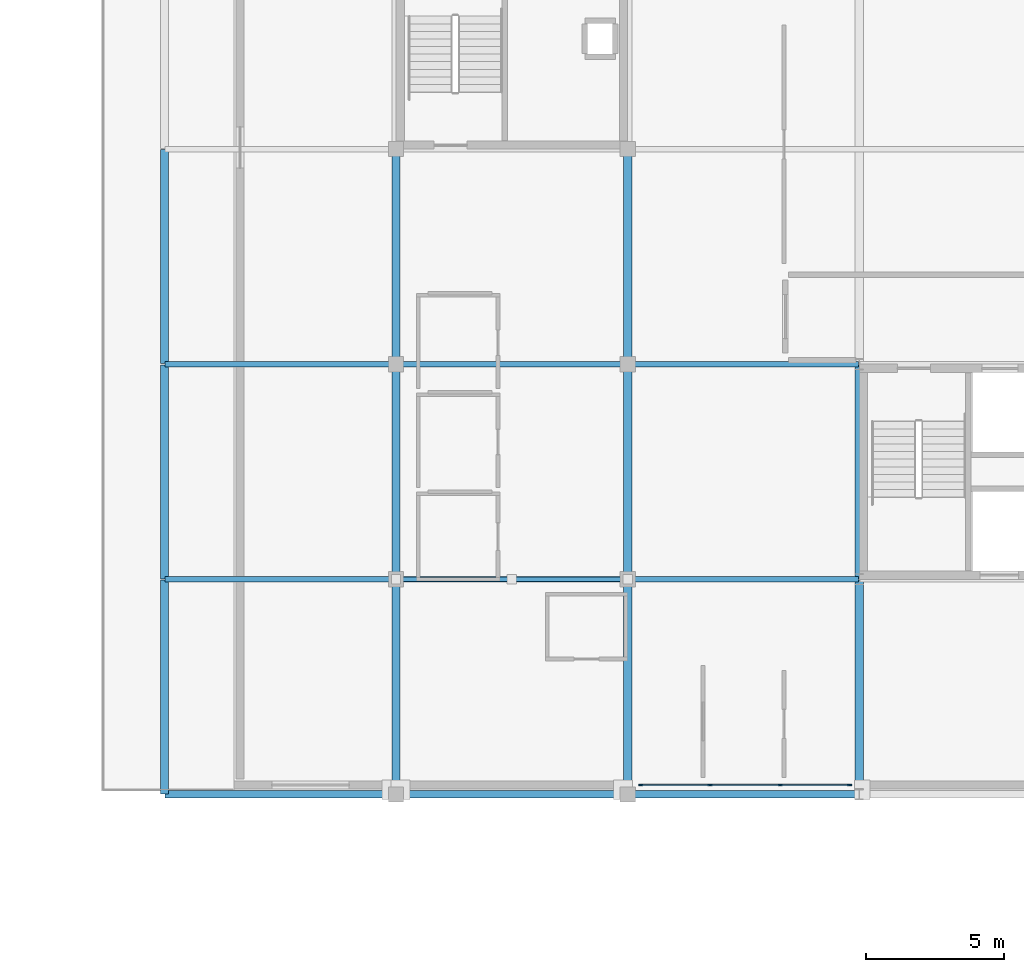
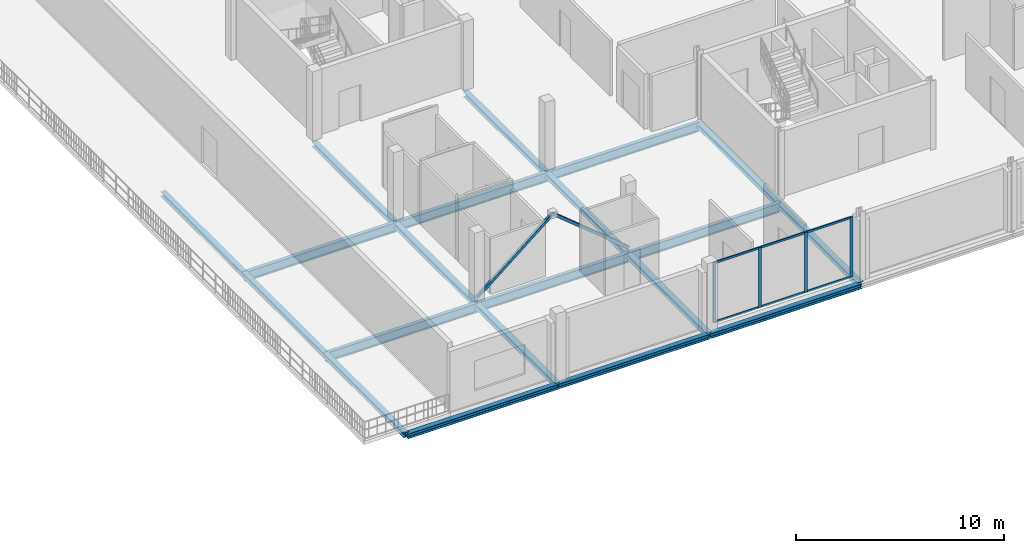
# One storey, part 4 of 20: 20 beams, 12 members, 1 element without a shape of its own.
"""IFC4 building model written with IfcOpenShell, lengths in metres."""

from ifc_helpers import new_model, si_unit, direction, frame, origin, origin_2d, place, context, subcontext, project, spatial, rectangle, hollow_rectangle, i_section, extrude, material, material_profile, profile_set, type_object, element, aggregate, save


model = new_model("IFC4")

# Units and contexts
model_context = context("Model", 3, precision=1e-05, world=origin(), true_north=direction((0.0, 1.0)))
body_context = subcontext(model_context, "Body", "Model", "MODEL_VIEW")
ifc_project = project(units=[si_unit("LENGTHUNIT", "METRE"), si_unit("AREAUNIT", "SQUARE_METRE"), si_unit("VOLUMEUNIT", "CUBIC_METRE"), si_unit("PLANEANGLEUNIT", "RADIAN"), si_unit("MASSUNIT", "GRAM", prefix="KILO")], contexts=[model_context])

# Site, building, storey
site_placement = place(None, origin())
site = spatial("IfcSite", under=ifc_project, at=site_placement, CompositionType="ELEMENT")
building_placement = place(site_placement, origin())
building = spatial("IfcBuilding", under=site, at=building_placement, Name="Nabrawat Pavilion Hospital", CompositionType="ELEMENT")
storey_placement = place(building_placement, frame((0.0, 0.0, 27.0)))
storey = spatial("IfcBuildingStorey", under=building, at=storey_placement, Name="L06", CompositionType="ELEMENT", Elevation=27.0)

# Curtain wall, members
ifc_material_1 = material(Name="Anodised Aluminium", Category="aluminium")
curtain_wall_type = type_object("IfcCurtainWallType", Name="Inpatient Dayroom Bay Curtain Wall", PredefinedType="USERDEFINED", material=ifc_material_1)
curtain_wall_placement = place(storey_placement, origin())
curtain_wall = element("IfcCurtainWall", 1, at=curtain_wall_placement, inside=storey, type_object=curtain_wall_type, Name="L06 Inpatient Dayroom Bay Curtain Wall 153", ObjectType="CURTAIN WALL", PredefinedType="USERDEFINED")
ifc_material_profile_1 = material_profile(ifc_material_1, rectangle(XDim=0.06005859375, YDim=0.159912109375, at=origin_2d()), Name="CWM 60x160")
ifc_profile_set_1 = profile_set([ifc_material_profile_1], Name="Anodised Aluminium")
member_type_1 = type_object("IfcMemberType", Name="Inpatient Dayroom Bay Curtain Wall Mullion CWM 60x160", PredefinedType="MULLION", material=ifc_profile_set_1)
member_1_placement = place(storey_placement, frame((160.074951171875, 39.340087890625, 0.0), z_axis=(0.0, 0.0, 1.0), x_axis=(0.0, 1.0, 0.0)))
member_1 = element("IfcMember", 2, at=member_1_placement, type_object=member_type_1, Name="CW-WRD-01 mullion 1", PredefinedType="MULLION", context=body_context, shape_type="SweptSolid", body=[
    extrude(rectangle(XDim=0.06005859375, YDim=0.159912109375, at=origin_2d()), origin(), (0.0, 0.0, 1.0), 3.530029296875),
])
member_2_placement = place(storey_placement, frame((162.590087890625, 39.340087890625, 0.0), z_axis=(0.0, 0.0, 1.0), x_axis=(0.0, 1.0, 0.0)))
member_2 = element("IfcMember", 3, at=member_2_placement, type_object=member_type_1, Name="CW-WRD-01 mullion 2", PredefinedType="MULLION", context=body_context, shape_type="SweptSolid", body=[
    extrude(rectangle(XDim=0.06005859375, YDim=0.159912109375, at=origin_2d()), origin(), (0.0, 0.0, 1.0), 3.530029296875),
])
member_3_placement = place(storey_placement, frame((165.135009765625, 39.340087890625, 0.0), z_axis=(0.0, 0.0, 1.0), x_axis=(0.0, 1.0, 0.0)))
member_3 = element("IfcMember", 4, at=member_3_placement, type_object=member_type_1, Name="CW-WRD-01 mullion 3", PredefinedType="MULLION", context=body_context, shape_type="SweptSolid", body=[
    extrude(rectangle(XDim=0.06005859375, YDim=0.159912109375, at=origin_2d()), origin(), (0.0, 0.0, 1.0), 3.530029296875),
])
member_4_placement = place(storey_placement, frame((167.64990234375, 39.340087890625, 0.0), z_axis=(0.0, 0.0, 1.0), x_axis=(0.0, 1.0, 0.0)))
member_4 = element("IfcMember", 5, at=member_4_placement, type_object=member_type_1, Name="CW-WRD-01 mullion 4", PredefinedType="MULLION", context=body_context, shape_type="SweptSolid", body=[
    extrude(rectangle(XDim=0.06005859375, YDim=0.159912109375, at=origin_2d()), origin(), (0.0, 0.0, 1.0), 3.530029296875),
])
ifc_material_profile_2 = material_profile(ifc_material_1, rectangle(XDim=0.06005859375, YDim=0.1201171875, at=origin_2d()), Name="CWT 60x120")
ifc_profile_set_2 = profile_set([ifc_material_profile_2], Name="Anodised Aluminium")
member_type_2 = type_object("IfcMemberType", Name="Inpatient Dayroom Bay Curtain Wall Transom CWT 60x120", PredefinedType="USERDEFINED", material=ifc_profile_set_2)
member_5_placement = place(storey_placement, frame((160.10498046875, 39.340087890625, 0.030029296875), z_axis=(1.0, 0.0, 0.0), x_axis=(0.0, 1.0, 0.0)))
member_5 = element("IfcMember", 6, at=member_5_placement, type_object=member_type_2, Name="CW-WRD-01 transom 1.1", ObjectType="TRANSOM", PredefinedType="USERDEFINED", context=body_context, shape_type="SweptSolid", body=[
    extrude(rectangle(XDim=0.06005859375, YDim=0.1201171875, at=origin_2d()), origin(), (0.0, 0.0, 1.0), 2.455078125),
])
member_6_placement = place(storey_placement, frame((160.10498046875, 39.340087890625, 3.5), z_axis=(1.0, 0.0, 0.0), x_axis=(0.0, 1.0, 0.0)))
member_6 = element("IfcMember", 7, at=member_6_placement, type_object=member_type_2, Name="CW-WRD-01 transom 1.2", ObjectType="TRANSOM", PredefinedType="USERDEFINED", context=body_context, shape_type="SweptSolid", body=[
    extrude(rectangle(XDim=0.06005859375, YDim=0.1201171875, at=origin_2d()), origin(), (0.0, 0.0, 1.0), 2.455078125),
])
member_7_placement = place(storey_placement, frame((162.6201171875, 39.340087890625, 0.030029296875), z_axis=(1.0, 0.0, 0.0), x_axis=(0.0, 1.0, 0.0)))
member_7 = element("IfcMember", 8, at=member_7_placement, type_object=member_type_2, Name="CW-WRD-01 transom 2.1", ObjectType="TRANSOM", PredefinedType="USERDEFINED", context=body_context, shape_type="SweptSolid", body=[
    extrude(rectangle(XDim=0.06005859375, YDim=0.1201171875, at=origin_2d()), origin(), (0.0, 0.0, 1.0), 2.48486328125),
])
member_8_placement = place(storey_placement, frame((162.6201171875, 39.340087890625, 3.5), z_axis=(1.0, 0.0, 0.0), x_axis=(0.0, 1.0, 0.0)))
member_8 = element("IfcMember", 9, at=member_8_placement, type_object=member_type_2, Name="CW-WRD-01 transom 2.2", ObjectType="TRANSOM", PredefinedType="USERDEFINED", context=body_context, shape_type="SweptSolid", body=[
    extrude(rectangle(XDim=0.06005859375, YDim=0.1201171875, at=origin_2d()), origin(), (0.0, 0.0, 1.0), 2.48486328125),
])
member_9_placement = place(storey_placement, frame((165.1650390625, 39.340087890625, 0.030029296875), z_axis=(1.0, 0.0, 0.0), x_axis=(0.0, 1.0, 0.0)))
member_9 = element("IfcMember", 10, at=member_9_placement, type_object=member_type_2, Name="CW-WRD-01 transom 3.1", ObjectType="TRANSOM", PredefinedType="USERDEFINED", context=body_context, shape_type="SweptSolid", body=[
    extrude(rectangle(XDim=0.06005859375, YDim=0.1201171875, at=origin_2d()), origin(), (0.0, 0.0, 1.0), 2.455078125),
])
member_10_placement = place(storey_placement, frame((165.1650390625, 39.340087890625, 3.5), z_axis=(1.0, 0.0, 0.0), x_axis=(0.0, 1.0, 0.0)))
member_10 = element("IfcMember", 11, at=member_10_placement, type_object=member_type_2, Name="CW-WRD-01 transom 3.2", ObjectType="TRANSOM", PredefinedType="USERDEFINED", context=body_context, shape_type="SweptSolid", body=[
    extrude(rectangle(XDim=0.06005859375, YDim=0.1201171875, at=origin_2d()), origin(), (0.0, 0.0, 1.0), 2.455078125),
])
aggregate(curtain_wall, [member_1, member_2, member_3, member_4, member_5, member_6, member_7, member_8, member_9, member_10])

# Beams
ifc_material_2 = material(Name="Steel S355", Category="steel")
ifc_material_profile_3 = material_profile(ifc_material_2, i_section(OverallWidth=0.2099609375, OverallDepth=0.550048828125, WebThickness=0.010986328125, FlangeThickness=0.01708984375, FilletRadius=0.02392578125, at=origin_2d()), Name="IPE 550")
ifc_profile_set_3 = profile_set([ifc_material_profile_3], Name="Steel S355")
beam_type_1 = type_object("IfcBeamType", Name="Long-Span Floor Girder IPE 550", PredefinedType="USERDEFINED", material=ifc_profile_set_3)
beam_1_placement = place(storey_placement, frame((142.820068359375, 46.800048828125, -0.5048828125), z_axis=(1.0, 0.0, 0.0), x_axis=(0.0, 1.0, 0.0)))
element("IfcBeam", 12, at=beam_1_placement, inside=storey, type_object=beam_type_1, Name="L06 Primary X Girder 2124", ObjectType="GIRDER", PredefinedType="USERDEFINED", context=body_context, shape_type="SweptSolid", body=[
    extrude(i_section(OverallWidth=0.2099609375, OverallDepth=0.550048828125, WebThickness=0.010986328125, FlangeThickness=0.01708984375, FilletRadius=0.02392578125, at=origin_2d()), origin(), (0.0, 0.0, 1.0), 8.35986328125),
])
beam_2_placement = place(storey_placement, frame((151.219970703125, 46.800048828125, -0.5048828125), z_axis=(1.0, 0.0, 0.0), x_axis=(0.0, 1.0, 0.0)))
element("IfcBeam", 13, at=beam_2_placement, inside=storey, type_object=beam_type_1, Name="L06 Primary X Girder 2125", ObjectType="GIRDER", PredefinedType="USERDEFINED", context=body_context, shape_type="SweptSolid", body=[
    extrude(i_section(OverallWidth=0.2099609375, OverallDepth=0.550048828125, WebThickness=0.010986328125, FlangeThickness=0.01708984375, FilletRadius=0.02392578125, at=origin_2d()), origin(), (0.0, 0.0, 1.0), 8.360107421875),
])
for number, where, z_axis, x_axis, name in (
    (14, (159.6201171875, 46.800048828125, -0.5048828125), (1.0, 0.0, 0.0), (0.0, 1.0, 0.0), "L06 Primary X Girder 2126"),
    (15, (142.820068359375, 54.60009765625, -0.5048828125), (1.0, 0.0, 0.0), (0.0, 1.0, 0.0), "L06 Primary X Girder 2130"),
):
    element("IfcBeam", number, at=place(storey_placement, frame(where, z_axis=z_axis, x_axis=x_axis)), inside=storey, type_object=beam_type_1, Name=name, ObjectType="GIRDER", PredefinedType="USERDEFINED", context=body_context, shape_type="SweptSolid", body=[
        extrude(i_section(OverallWidth=0.2099609375, OverallDepth=0.550048828125, WebThickness=0.010986328125, FlangeThickness=0.01708984375, FilletRadius=0.02392578125, at=origin_2d()), origin(), (0.0, 0.0, 1.0), 8.35986328125),
    ])
beam_3_placement = place(storey_placement, frame((151.219970703125, 54.60009765625, -0.5048828125), z_axis=(1.0, 0.0, 0.0), x_axis=(0.0, 1.0, 0.0)))
element("IfcBeam", 16, at=beam_3_placement, inside=storey, type_object=beam_type_1, Name="L06 Primary X Girder 2131", ObjectType="GIRDER", PredefinedType="USERDEFINED", context=body_context, shape_type="SweptSolid", body=[
    extrude(i_section(OverallWidth=0.2099609375, OverallDepth=0.550048828125, WebThickness=0.010986328125, FlangeThickness=0.01708984375, FilletRadius=0.02392578125, at=origin_2d()), origin(), (0.0, 0.0, 1.0), 8.360107421875),
])
beam_4_placement = place(storey_placement, frame((159.6201171875, 54.60009765625, -0.5048828125), z_axis=(1.0, 0.0, 0.0), x_axis=(0.0, 1.0, 0.0)))
element("IfcBeam", 17, at=beam_4_placement, inside=storey, type_object=beam_type_1, Name="L06 Primary X Girder 2132", ObjectType="GIRDER", PredefinedType="USERDEFINED", context=body_context, shape_type="SweptSolid", body=[
    extrude(i_section(OverallWidth=0.2099609375, OverallDepth=0.550048828125, WebThickness=0.010986328125, FlangeThickness=0.01708984375, FilletRadius=0.02392578125, at=origin_2d()), origin(), (0.0, 0.0, 1.0), 8.35986328125),
])

# Members
ifc_material_profile_4 = material_profile(ifc_material_2, hollow_rectangle(XDim=0.14990234375, YDim=0.14990234375, WallThickness=0.010009765625, at=origin_2d()), Name="SHS 150x150x10")
ifc_profile_set_4 = profile_set([ifc_material_profile_4], Name="Steel S355")
member_type_3 = type_object("IfcMemberType", Name="Top Ward Chevron Brace SHS 150x150x10", PredefinedType="BRACE", material=ifc_profile_set_4)
for number, where, z_axis, x_axis, name in (
    (18, (151.199951171875, 46.800048828125, 0.050048828125), (0.772727041362, 0.0, 0.63473846547), (0.0, 1.0, 0.0), "L06 Seismic Concentric Chevron Brace 061"),
    (19, (159.60009765625, 46.800048828125, 0.050048828125), (-0.772745137627, 0.0, 0.634716434539), (0.0, -1.0, 0.0), "L06 Seismic Concentric Chevron Brace 062"),
):
    element("IfcMember", number, at=place(storey_placement, frame(where, z_axis=z_axis, x_axis=x_axis)), inside=storey, type_object=member_type_3, Name=name, PredefinedType="BRACE", context=body_context, shape_type="SweptSolid", body=[
        extrude(hollow_rectangle(XDim=0.14990234375, YDim=0.14990234375, WallThickness=0.010009765625, at=origin_2d()), origin(), (0.0, 0.0, 1.0), 5.435302734375),
    ])

# Beams
ifc_material_profile_5 = material_profile(ifc_material_2, i_section(OverallWidth=0.280029296875, OverallDepth=0.280029296875, WebThickness=0.010498046875, FlangeThickness=0.01806640625, FilletRadius=0.02392578125, at=origin_2d()), Name="HEB 280")
ifc_profile_set_5 = profile_set([ifc_material_profile_5], Name="Steel S355")
beam_type_2 = type_object("IfcBeamType", Name="Upper Terrace Edge Spandrel HEB 280", PredefinedType="SPANDREL", material=ifc_profile_set_5)
beam_5_placement = place(storey_placement, frame((142.820068359375, 39.0, -0.3701171875), z_axis=(1.0, 0.0, 0.0), x_axis=(0.0, 1.0, 0.0)))
element("IfcBeam", 20, at=beam_5_placement, inside=storey, type_object=beam_type_2, Name="L06 Primary X Girder 2118", PredefinedType="SPANDREL", context=body_context, shape_type="SweptSolid", body=[
    extrude(i_section(OverallWidth=0.280029296875, OverallDepth=0.280029296875, WebThickness=0.010498046875, FlangeThickness=0.01806640625, FilletRadius=0.02392578125, at=origin_2d()), origin(), (0.0, 0.0, 1.0), 8.35986328125),
])
beam_6_placement = place(storey_placement, frame((151.219970703125, 39.0, -0.3701171875), z_axis=(1.0, 0.0, 0.0), x_axis=(0.0, 1.0, 0.0)))
element("IfcBeam", 21, at=beam_6_placement, inside=storey, type_object=beam_type_2, Name="L06 Primary X Girder 2119", PredefinedType="SPANDREL", context=body_context, shape_type="SweptSolid", body=[
    extrude(i_section(OverallWidth=0.280029296875, OverallDepth=0.280029296875, WebThickness=0.010498046875, FlangeThickness=0.01806640625, FilletRadius=0.02392578125, at=origin_2d()), origin(), (0.0, 0.0, 1.0), 8.360107421875),
])
beam_7_placement = place(storey_placement, frame((159.6201171875, 39.0, -0.3701171875), z_axis=(1.0, 0.0, 0.0), x_axis=(0.0, 1.0, 0.0)))
element("IfcBeam", 22, at=beam_7_placement, inside=storey, type_object=beam_type_2, Name="L06 Primary X Girder 2120", PredefinedType="SPANDREL", context=body_context, shape_type="SweptSolid", body=[
    extrude(i_section(OverallWidth=0.280029296875, OverallDepth=0.280029296875, WebThickness=0.010498046875, FlangeThickness=0.01806640625, FilletRadius=0.02392578125, at=origin_2d()), origin(), (0.0, 0.0, 1.0), 8.35986328125),
])
for number, where, z_axis, x_axis, name in (
    (23, (142.800048828125, 39.02001953125, -0.35009765625), (0.0, 1.0, 0.0), (-1.0, 0.0, 0.0), "L06 Primary Y Beam 2177"),
    (24, (142.800048828125, 46.820068359375, -0.35009765625), (0.0, 1.0, 0.0), (-1.0, 0.0, 0.0), "L06 Primary Y Beam 2178"),
):
    element("IfcBeam", number, at=place(storey_placement, frame(where, z_axis=z_axis, x_axis=x_axis)), inside=storey, type_object=beam_type_2, Name=name, PredefinedType="SPANDREL", context=body_context, shape_type="SweptSolid", body=[
        extrude(i_section(OverallWidth=0.280029296875, OverallDepth=0.280029296875, WebThickness=0.010498046875, FlangeThickness=0.01806640625, FilletRadius=0.02392578125, at=origin_2d()), origin(), (0.0, 0.0, 1.0), 7.760009765625),
    ])
beam_8_placement = place(storey_placement, frame((142.800048828125, 54.6201171875, -0.35009765625), z_axis=(0.0, 1.0, 0.0), x_axis=(-1.0, 0.0, 0.0)))
element("IfcBeam", 25, at=beam_8_placement, inside=storey, type_object=beam_type_2, Name="L06 Primary Y Beam 2179", PredefinedType="SPANDREL", context=body_context, shape_type="SweptSolid", body=[
    extrude(i_section(OverallWidth=0.280029296875, OverallDepth=0.280029296875, WebThickness=0.010498046875, FlangeThickness=0.01806640625, FilletRadius=0.02392578125, at=origin_2d()), origin(), (0.0, 0.0, 1.0), 7.759765625),
])
ifc_material_profile_6 = material_profile(ifc_material_2, i_section(OverallWidth=0.300048828125, OverallDepth=0.2900390625, WebThickness=0.008544921875, FlangeThickness=0.013916015625, FilletRadius=0.027099609375, at=origin_2d()), Name="HEA 300")
ifc_profile_set_6 = profile_set([ifc_material_profile_6], Name="Steel S355")
beam_type_3 = type_object("IfcBeamType", Name="Upper Ward Spine Beam HEA 300", PredefinedType="BEAM", material=ifc_profile_set_6)
for number, where, z_axis, x_axis, name in (
    (26, (151.199951171875, 39.02001953125, -0.375), (0.0, 1.0, 0.0), (-1.0, 0.0, 0.0), "L06 Primary Y Beam 2187"),
    (27, (151.199951171875, 46.820068359375, -0.375), (0.0, 1.0, 0.0), (-1.0, 0.0, 0.0), "L06 Primary Y Beam 2188"),
):
    element("IfcBeam", number, at=place(storey_placement, frame(where, z_axis=z_axis, x_axis=x_axis)), inside=storey, type_object=beam_type_3, Name=name, PredefinedType="BEAM", context=body_context, shape_type="SweptSolid", body=[
        extrude(i_section(OverallWidth=0.300048828125, OverallDepth=0.2900390625, WebThickness=0.008544921875, FlangeThickness=0.013916015625, FilletRadius=0.027099609375, at=origin_2d()), origin(), (0.0, 0.0, 1.0), 7.760009765625),
    ])
beam_9_placement = place(storey_placement, frame((151.199951171875, 54.6201171875, -0.375), z_axis=(0.0, 1.0, 0.0), x_axis=(-1.0, 0.0, 0.0)))
element("IfcBeam", 28, at=beam_9_placement, inside=storey, type_object=beam_type_3, Name="L06 Primary Y Beam 2189", PredefinedType="BEAM", context=body_context, shape_type="SweptSolid", body=[
    extrude(i_section(OverallWidth=0.300048828125, OverallDepth=0.2900390625, WebThickness=0.008544921875, FlangeThickness=0.013916015625, FilletRadius=0.027099609375, at=origin_2d()), origin(), (0.0, 0.0, 1.0), 7.759765625),
])
for number, where, z_axis, x_axis, name in (
    (29, (159.60009765625, 39.02001953125, -0.375), (0.0, 1.0, 0.0), (-1.0, 0.0, 0.0), "L06 Primary Y Beam 2197"),
    (30, (159.60009765625, 46.820068359375, -0.375), (0.0, 1.0, 0.0), (-1.0, 0.0, 0.0), "L06 Primary Y Beam 2198"),
):
    element("IfcBeam", number, at=place(storey_placement, frame(where, z_axis=z_axis, x_axis=x_axis)), inside=storey, type_object=beam_type_3, Name=name, PredefinedType="BEAM", context=body_context, shape_type="SweptSolid", body=[
        extrude(i_section(OverallWidth=0.300048828125, OverallDepth=0.2900390625, WebThickness=0.008544921875, FlangeThickness=0.013916015625, FilletRadius=0.027099609375, at=origin_2d()), origin(), (0.0, 0.0, 1.0), 7.760009765625),
    ])
beam_10_placement = place(storey_placement, frame((159.60009765625, 54.6201171875, -0.375), z_axis=(0.0, 1.0, 0.0), x_axis=(-1.0, 0.0, 0.0)))
element("IfcBeam", 31, at=beam_10_placement, inside=storey, type_object=beam_type_3, Name="L06 Primary Y Beam 2199", PredefinedType="BEAM", context=body_context, shape_type="SweptSolid", body=[
    extrude(i_section(OverallWidth=0.300048828125, OverallDepth=0.2900390625, WebThickness=0.008544921875, FlangeThickness=0.013916015625, FilletRadius=0.027099609375, at=origin_2d()), origin(), (0.0, 0.0, 1.0), 7.759765625),
])
for number, where, z_axis, x_axis, name in (
    (32, (168.0, 39.02001953125, -0.375), (0.0, 1.0, 0.0), (-1.0, 0.0, 0.0), "L06 Primary Y Beam 2207"),
    (33, (168.0, 46.820068359375, -0.375), (0.0, 1.0, 0.0), (-1.0, 0.0, 0.0), "L06 Primary Y Beam 2208"),
):
    element("IfcBeam", number, at=place(storey_placement, frame(where, z_axis=z_axis, x_axis=x_axis)), inside=storey, type_object=beam_type_3, Name=name, PredefinedType="BEAM", context=body_context, shape_type="SweptSolid", body=[
        extrude(i_section(OverallWidth=0.300048828125, OverallDepth=0.2900390625, WebThickness=0.008544921875, FlangeThickness=0.013916015625, FilletRadius=0.027099609375, at=origin_2d()), origin(), (0.0, 0.0, 1.0), 7.760009765625),
    ])

save(model, "model.ifc")
